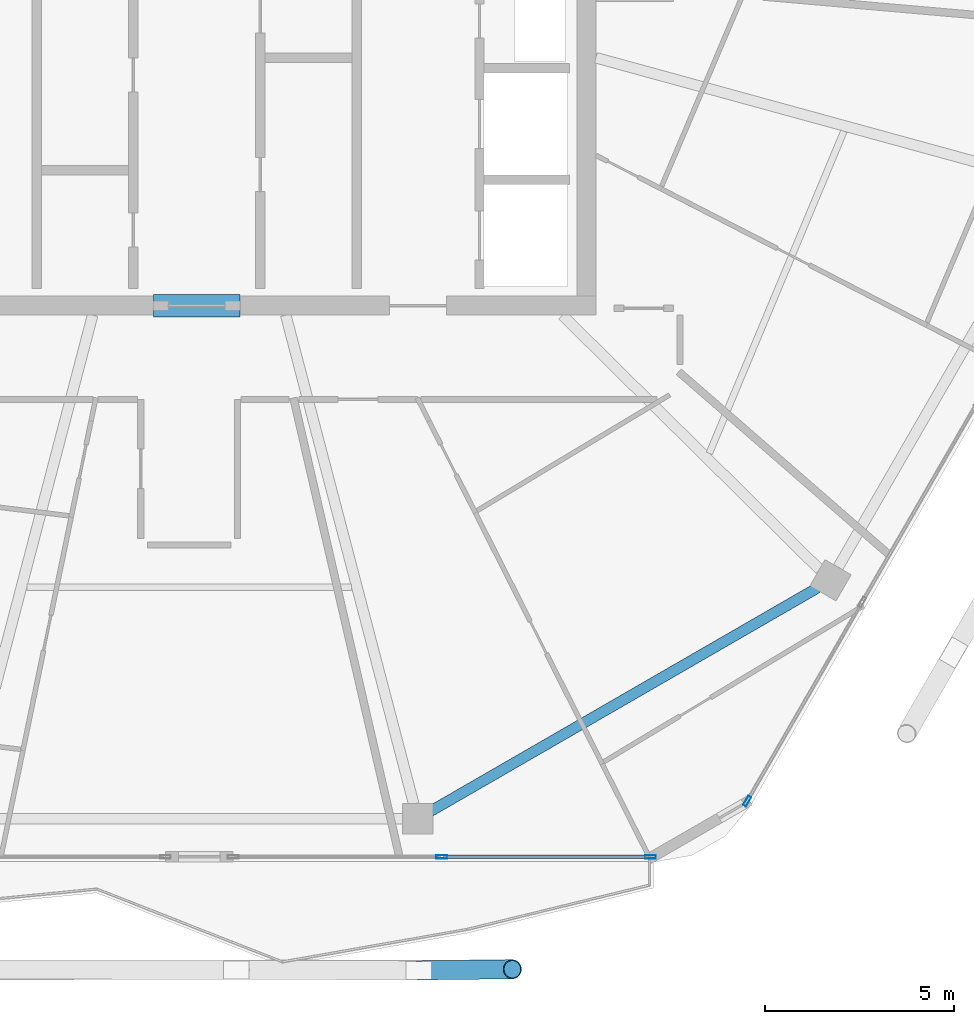
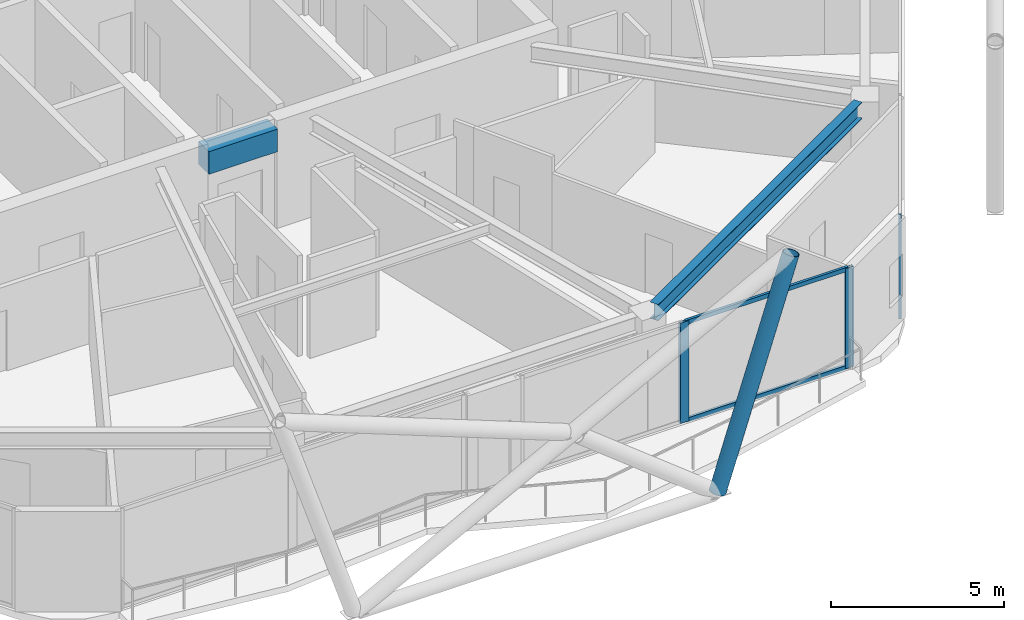
# One storey, part 7 of 23: 6 members, 2 beams, 2 elements without a shape of their own.
"""IFC4 building model written with IfcOpenShell, lengths in metres."""

import ifcopenshell
import ifcopenshell.guid

model = None  # the IFC model being written
_history = None  # IfcOwnerHistory: only IFC2X3 demands one
_inside = {}  # id of a spatial element -> (the spatial element, [elements in it])
_under = {}  # id of a project, library or spatial element -> (it, [spatial elements below it])
_declared = {}  # id of a project -> (the project, [libraries it declares])
_typed = {}  # id of a type object -> (the type object, [elements of that type])
_made_of = {}  # id of a material, layer set ... -> (it, [elements and type objects made of it])


def new_model(schema):
    """Start an empty IFC model of exactly this schema.

    Asked for "IFC4X3", IfcOpenShell would pick the latest addendum, in which some entities
    have other attributes; the version numbers below select the first issue.
    IFC2X3 requires an IfcOwnerHistory on every rooted entity: one is made here for all.
    """
    global model, _history
    if schema == "IFC4X3":
        model = ifcopenshell.file(schema_version=(4, 3, 0, 0))
    else:
        model = ifcopenshell.file(schema=schema)
    _inside.clear()
    _under.clear()
    _declared.clear()
    _typed.clear()
    _made_of.clear()
    _history = None
    if model.schema == "IFC2X3":
        org = make("IfcOrganization", Name="unknown")
        user = make(
            "IfcPersonAndOrganization",
            ThePerson=make("IfcPerson", FamilyName="unknown"),
            TheOrganization=org,
        )
        app = make(
            "IfcApplication",
            ApplicationDeveloper=org,
            Version="unknown",
            ApplicationFullName="unknown",
            ApplicationIdentifier="unknown",
        )
        _history = make(
            "IfcOwnerHistory",
            OwningUser=user,
            OwningApplication=app,
            ChangeAction="ADDED",
            CreationDate=0,
        )
    return model


def make(cls, **values):
    """One entity of the class cls with the attributes given. An attribute that is None is left unset."""
    return model.create_entity(
        cls, **{name: value for name, value in values.items() if value is not None}
    )


def rooted(cls, **values):
    """An entity with a GlobalId (a new one), such as an element, a storey or a relation."""
    return make(cls, GlobalId=ifcopenshell.guid.new(), OwnerHistory=_history, **values)


def si_unit(unit_type, name, prefix=None):
    """IfcSIUnit, for example si_unit("LENGTHUNIT", "METRE", prefix="MILLI")."""
    return make("IfcSIUnit", UnitType=unit_type, Prefix=prefix, Name=name)


def assignment(units):
    """IfcUnitAssignment: the units of a project."""
    return None if units is None else make("IfcUnitAssignment", Units=units)


def point(xyz):
    """IfcCartesianPoint."""
    return None if xyz is None else make("IfcCartesianPoint", Coordinates=xyz)


def direction(xyz):
    """IfcDirection."""
    return None if xyz is None else make("IfcDirection", DirectionRatios=xyz)


def frame(location, z_axis=None, x_axis=None):
    """IfcAxis2Placement3D, a coordinate frame: its origin and axes. An axis left out is left unset."""
    return make(
        "IfcAxis2Placement3D",
        Location=point(location),
        Axis=direction(z_axis),
        RefDirection=direction(x_axis),
    )


def frame_2d(location, x_axis=None):
    """IfcAxis2Placement2D, a coordinate frame in the plane: its origin and x axis."""
    return make(
        "IfcAxis2Placement2D", Location=point(location), RefDirection=direction(x_axis)
    )


def origin():
    """The frame at (0, 0, 0) with its axes left unset."""
    return frame((0.0, 0.0, 0.0))


def origin_2d():
    """The frame at (0, 0) in the plane with its x axis left unset."""
    return frame_2d((0.0, 0.0))


def place(relative_to, where):
    """IfcLocalPlacement: puts the frame where relative to a parent placement (None: the world)."""
    return make(
        "IfcLocalPlacement", PlacementRelTo=relative_to, RelativePlacement=where
    )


def context(
    kind, dimensions, precision=None, world=None, true_north=None, identifier=None
):
    """IfcGeometricRepresentationContext, for example the 3D "Model" context."""
    return make(
        "IfcGeometricRepresentationContext",
        ContextIdentifier=identifier,
        ContextType=kind,
        CoordinateSpaceDimension=dimensions,
        Precision=precision,
        WorldCoordinateSystem=world,
        TrueNorth=true_north,
    )


def subcontext(parent, identifier, kind, view, scale=None):
    """IfcGeometricRepresentationSubContext, for example "Body" below "Model"."""
    return make(
        "IfcGeometricRepresentationSubContext",
        ContextIdentifier=identifier,
        ContextType=kind,
        ParentContext=parent,
        TargetScale=scale,
        TargetView=view,
    )


def project(units=None, contexts=None):
    """IfcProject with its units and contexts."""
    return rooted(
        "IfcProject",
        Name="project",
        RepresentationContexts=contexts,
        UnitsInContext=assignment(units),
    )


def spatial(cls, under=None, at=None, **own):
    """A site, building, storey or space (cls), placed at a placement, below another one or the project."""
    s = rooted(cls, ObjectPlacement=at, **own)
    if under is not None:
        _under.setdefault(under.id(), (under, []))[1].append(s)
    return s


def profile(cls, at=None, kind="AREA", **sizes):
    """A parametric profile (cls). Its sizes go by their IFC names, for example OverallWidth=200.0."""
    return make(cls, ProfileType=kind, Position=at, **sizes)


def rectangle(**sizes):
    """IfcRectangleProfileDef."""
    return profile("IfcRectangleProfileDef", **sizes)


def hollow_rectangle(**sizes):
    """IfcRectangleHollowProfileDef."""
    return profile("IfcRectangleHollowProfileDef", **sizes)


def hollow_circle(**sizes):
    """IfcCircleHollowProfileDef."""
    return profile("IfcCircleHollowProfileDef", **sizes)


def i_section(**sizes):
    """IfcIShapeProfileDef."""
    return profile("IfcIShapeProfileDef", **sizes)


def extrude(swept, where, along, depth):
    """IfcExtrudedAreaSolid: the profile swept, set in the frame where, extruded along a direction by depth."""
    return make(
        "IfcExtrudedAreaSolid",
        SweptArea=swept,
        Position=where,
        ExtrudedDirection=direction(along),
        Depth=depth,
    )


def shape(context_of_items, identifier, shape_type, items):
    """IfcShapeRepresentation: the items that make up one representation, for example the "Body"."""
    return make(
        "IfcShapeRepresentation",
        ContextOfItems=context_of_items,
        RepresentationIdentifier=identifier,
        RepresentationType=shape_type,
        Items=items,
    )


def material(Name=None, Category=None):
    """IfcMaterial."""
    return make("IfcMaterial", Name=Name, Category=Category)


def material_profile(
    of_material, cross_section, Name=None, Category=None, Priority=None
):
    """IfcMaterialProfile: a cross section and its material."""
    return make(
        "IfcMaterialProfile",
        Name=Name,
        Material=of_material,
        Profile=cross_section,
        Priority=Priority,
        Category=Category,
    )


def profile_set(profiles, Name=None, composite=None):
    """IfcMaterialProfileSet."""
    return make(
        "IfcMaterialProfileSet",
        Name=Name,
        MaterialProfiles=profiles,
        CompositeProfile=composite,
    )


def made_of(thing, what):
    """Note that an element or type object is made of a material, layer set ...; save() writes the relation."""
    if what is not None:
        _made_of.setdefault(what.id(), (what, []))[1].append(thing)
    return thing


def type_object(cls, material=None, **own):
    """A type object (cls), such as IfcWallType, which elements share."""
    return made_of(rooted(cls, **own), material)


def element(
    cls,
    number,
    at=None,
    inside=None,
    cuts=None,
    type_object=None,
    material=None,
    context=None,
    identifier="Body",
    shape_type=None,
    held_by="IfcProductDefinitionShape",
    body=None,
    shapes=None,
    **own,
):
    """One element of the class cls, such as IfcWall. Its Tag is "e" and its number.

    at: its placement. inside: the storey or other place that contains it. cuts: it is an
    opening in that element (IfcRelVoidsElement). A single representation is given by context,
    identifier, shape_type and body (its items); several are given by shapes. held_by: the class
    of the entity that holds the representations. save() writes the other relations.
    """
    e = rooted(cls, Tag="e%d" % number, ObjectPlacement=at, **own)
    if body is not None:
        shapes = [shape(context, identifier, shape_type, body)]
    if shapes is not None:
        e.Representation = make(held_by, Representations=shapes)
    if inside is not None:
        _inside.setdefault(inside.id(), (inside, []))[1].append(e)
    if cuts is not None:
        rooted(
            "IfcRelVoidsElement", RelatingBuildingElement=cuts, RelatedOpeningElement=e
        )
    if type_object is not None:
        _typed.setdefault(type_object.id(), (type_object, []))[1].append(e)
    return made_of(e, material)


def aggregate(whole, parts):
    """IfcRelAggregates: a whole, such as a stair, and the parts it consists of."""
    return rooted("IfcRelAggregates", RelatingObject=whole, RelatedObjects=parts)


def save(model, path):
    """Write the relations noted so far, then the file.

    IfcRelAggregates (storeys below a building ...), IfcRelContainedInSpatialStructure (elements
    in a storey), IfcRelDefinesByType, IfcRelAssociatesMaterial and IfcRelDeclares: one each for
    every whole, place, type object, material and project.
    """
    for whole, parts in _under.values():
        aggregate(whole, parts)
    for where, things in _inside.values():
        rooted(
            "IfcRelContainedInSpatialStructure",
            RelatedElements=things,
            RelatingStructure=where,
        )
    for kind, things in _typed.values():
        rooted("IfcRelDefinesByType", RelatedObjects=things, RelatingType=kind)
    for what, things in _made_of.values():
        rooted("IfcRelAssociatesMaterial", RelatedObjects=things, RelatingMaterial=what)
    for by, libraries in _declared.values():
        rooted("IfcRelDeclares", RelatingContext=by, RelatedDefinitions=libraries)
    model.write(path)


model = new_model("IFC4")

# Units and contexts
model_context = context("Model", 3, precision=1e-05, world=origin(), true_north=direction((0.0, 1.0)))
body_context = subcontext(model_context, "Body", "Model", "MODEL_VIEW")
ifc_project = project(units=[si_unit("LENGTHUNIT", "METRE"), si_unit("AREAUNIT", "SQUARE_METRE"), si_unit("VOLUMEUNIT", "CUBIC_METRE"), si_unit("PLANEANGLEUNIT", "RADIAN"), si_unit("MASSUNIT", "GRAM", prefix="KILO")], contexts=[model_context])

# Site, building, storey
site_placement = place(None, origin())
site = spatial("IfcSite", under=ifc_project, at=site_placement, CompositionType="ELEMENT")
building_placement = place(site_placement, origin())
building = spatial("IfcBuilding", under=site, at=building_placement, Name="Zuhravey Tower", CompositionType="ELEMENT")
storey_placement = place(building_placement, frame((0.0, 0.0, 323.39990234375)))
storey = spatial("IfcBuildingStorey", under=building, at=storey_placement, Name="L82", CompositionType="ELEMENT", Elevation=323.39990234375)

# Beam
ifc_material_1 = material(Name="Concrete C50/60", Category="concrete")
ifc_material_profile_1 = material_profile(ifc_material_1, rectangle(XDim=0.60009765625, YDim=0.800048828125, at=origin_2d()), Name="RC-600x800")
ifc_profile_set_1 = profile_set([ifc_material_profile_1], Name="Concrete C50/60")
beam_type_1 = type_object("IfcBeamType", Name="Core Coupling Beam RC600x800", PredefinedType="LINTEL", material=ifc_profile_set_1)
beam_1_placement = place(storey_placement, frame((35.052001953125, 22.5, 3.150146484375), z_axis=(1.0, 0.0, 0.0), x_axis=(0.0, 1.0, 0.0)))
element("IfcBeam", 1, at=beam_1_placement, inside=storey, type_object=beam_type_1, Name="L82 CB2 BM-L82-CB-S", PredefinedType="LINTEL", context=body_context, shape_type="SweptSolid", body=[
    extrude(rectangle(XDim=0.60009765625, YDim=0.800048828125, at=origin_2d()), origin(), (0.0, 0.0, 1.0), 2.2958984375),
])

# Curtain wall, member
ifc_material_2 = material(Name="Thermally broken anodised aluminium", Category="aluminium")
curtain_wall_type = type_object("IfcCurtainWallType", Name="Zone 3-4 High-Rise Curtain Wall CW4", PredefinedType="NOTDEFINED", material=ifc_material_2)
curtain_wall_1_placement = place(storey_placement, origin())
curtain_wall_1 = element("IfcCurtainWall", 2, at=curtain_wall_1_placement, inside=storey, type_object=curtain_wall_type, Name="L82 CW4 CW-L82-F6-1", PredefinedType="NOTDEFINED")
ifc_material_3 = material(Name="Anodised aluminium", Category="aluminium")
ifc_material_profile_2 = material_profile(ifc_material_3, hollow_rectangle(XDim=0.090087890625, YDim=0.284912109375, WallThickness=0.0048828125, at=origin_2d()), Name="ALU-RHS-90x285x5")
ifc_profile_set_2 = profile_set([ifc_material_profile_2], Name="Anodised aluminium")
member_type_1 = type_object("IfcMemberType", Name="Curtain-Wall Mullion 90x180", PredefinedType="MULLION", material=ifc_profile_set_2)
member_1_placement = place(storey_placement, frame((50.751708984375, 9.40234375, 0.0), z_axis=(0.0, 0.0, 1.0), x_axis=(0.866025511541, -0.49999981336, 0.0)))
member_1 = element("IfcMember", 3, at=member_1_placement, type_object=member_type_1, Name="CW4 mullion 5", PredefinedType="MULLION", context=body_context, shape_type="SweptSolid", body=[
    extrude(hollow_rectangle(XDim=0.090087890625, YDim=0.284912109375, WallThickness=0.0048828125, at=origin_2d()), origin(), (0.0, 0.0, 1.0), 3.550048828125),
])
aggregate(curtain_wall_1, [member_1])

# Curtain wall, members
curtain_wall_2_placement = place(storey_placement, origin())
curtain_wall_2 = element("IfcCurtainWall", 4, at=curtain_wall_2_placement, inside=storey, type_object=curtain_wall_type, Name="L82 CW4 CW-L82-F5-1", PredefinedType="NOTDEFINED")
member_2_placement = place(storey_placement, frame((48.1943359375, 7.92578125, 0.0), z_axis=(0.0, 0.0, 1.0), x_axis=(0.0, -1.0, 0.0)))
member_2 = element("IfcMember", 5, at=member_2_placement, type_object=member_type_1, Name="CW4 mullion 1", PredefinedType="MULLION", context=body_context, shape_type="SweptSolid", body=[
    extrude(hollow_rectangle(XDim=0.090087890625, YDim=0.284912109375, WallThickness=0.0048828125, at=origin_2d()), origin(), (0.0, 0.0, 1.0), 3.550048828125),
])
member_3_placement = place(storey_placement, frame((42.678955078125, 7.92578125, 0.0), z_axis=(0.0, 0.0, 1.0), x_axis=(0.0, -1.0, 0.0)))
member_3 = element("IfcMember", 6, at=member_3_placement, type_object=member_type_1, Name="CW4 mullion 2", PredefinedType="MULLION", context=body_context, shape_type="SweptSolid", body=[
    extrude(hollow_rectangle(XDim=0.090087890625, YDim=0.284912109375, WallThickness=0.0048828125, at=origin_2d()), origin(), (0.0, 0.0, 1.0), 3.550048828125),
])
ifc_material_profile_3 = material_profile(ifc_material_3, hollow_rectangle(XDim=0.090087890625, YDim=0.14990234375, WallThickness=0.0048828125, at=origin_2d()), Name="ALU-RHS-90x150x5")
ifc_profile_set_3 = profile_set([ifc_material_profile_3], Name="Anodised aluminium")
member_type_2 = type_object("IfcMemberType", Name="Curtain-Wall Transom 90x150", PredefinedType="USERDEFINED", material=ifc_profile_set_3)
member_4_placement = place(storey_placement, frame((48.1494140625, 7.92578125, 0.045166015625), z_axis=(-1.0, 0.0, 0.0), x_axis=(0.0, -1.0, 0.0)))
member_4 = element("IfcMember", 7, at=member_4_placement, type_object=member_type_2, Name="CW4 transom 1.1", ObjectType="TRANSOM", PredefinedType="USERDEFINED", context=body_context, shape_type="SweptSolid", body=[
    extrude(hollow_rectangle(XDim=0.090087890625, YDim=0.14990234375, WallThickness=0.0048828125, at=origin_2d()), origin(), (0.0, 0.0, 1.0), 5.425537109375),
])
member_5_placement = place(storey_placement, frame((48.1494140625, 7.92578125, 3.505126953125), z_axis=(-1.0, 0.0, 0.0), x_axis=(0.0, -1.0, 0.0)))
member_5 = element("IfcMember", 8, at=member_5_placement, type_object=member_type_2, Name="CW4 transom 1.2", ObjectType="TRANSOM", PredefinedType="USERDEFINED", context=body_context, shape_type="SweptSolid", body=[
    extrude(hollow_rectangle(XDim=0.090087890625, YDim=0.14990234375, WallThickness=0.0048828125, at=origin_2d()), origin(), (0.0, 0.0, 1.0), 5.425537109375),
])
aggregate(curtain_wall_2, [member_2, member_3, member_4, member_5])

# Member
ifc_material_4 = material(Name="Steel SM355", Category="steel")
ifc_material_profile_4 = material_profile(ifc_material_4, hollow_circle(Radius=0.25390625, WallThickness=0.02490234375, at=origin_2d()), Name="CHS-508.0x25")
ifc_profile_set_4 = profile_set([ifc_material_profile_4], Name="Steel SM355")
member_type_3 = type_object("IfcMemberType", Name="Exoskeleton Zone 4 Diagrid CHS508x25", PredefinedType="BRACE", material=ifc_profile_set_4)
member_6_placement = place(storey_placement, frame((42.072509765625, 4.926025390625, -0.447998046875), z_axis=(0.310451636696, 0.003741120079, 0.950581814098), x_axis=(-0.012049698022, 0.999927399753, 0.0)))
element("IfcMember", 9, at=member_6_placement, inside=storey, type_object=member_type_3, Name="L82 Face 5 Diagrid Brace 4", PredefinedType="BRACE", context=body_context, shape_type="SweptSolid", body=[
    extrude(hollow_circle(Radius=0.25390625, WallThickness=0.02490234375, at=origin_2d()), origin(), (0.0, 0.0, 1.0), 7.961669921875),
])

# Beam
ifc_material_profile_5 = material_profile(ifc_material_4, i_section(OverallWidth=0.280029296875, OverallDepth=0.580078125, WebThickness=0.011962890625, FlangeThickness=0.01904296875, at=origin_2d()), Name="H-580x280x12x19")
ifc_profile_set_5 = profile_set([ifc_material_profile_5], Name="Steel SM355")
beam_type_2 = type_object("IfcBeamType", Name="Perimeter Ring Beam H580x280", PredefinedType="BEAM", material=ifc_profile_set_5)
beam_2_placement = place(storey_placement, frame((42.3876953125, 9.137451171875, 3.260009765625), z_axis=(0.866023977509, 0.500002470373, 0.0), x_axis=(-0.500002470373, 0.866023977509, 0.0)))
element("IfcBeam", 10, at=beam_2_placement, inside=storey, type_object=beam_type_2, Name="L82 PB4 BM-L82-PB-10", PredefinedType="BEAM", context=body_context, shape_type="SweptSolid", body=[
    extrude(i_section(OverallWidth=0.280029296875, OverallDepth=0.580078125, WebThickness=0.011962890625, FlangeThickness=0.01904296875, at=origin_2d()), origin(), (0.0, 0.0, 1.0), 11.798828125),
])

save(model, "model.ifc")
